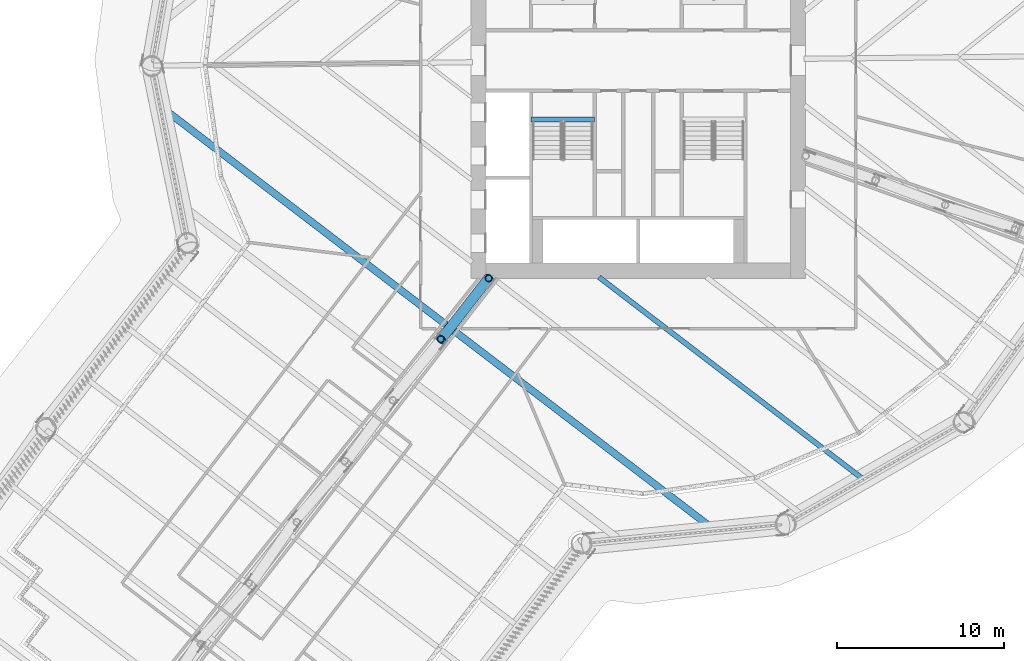
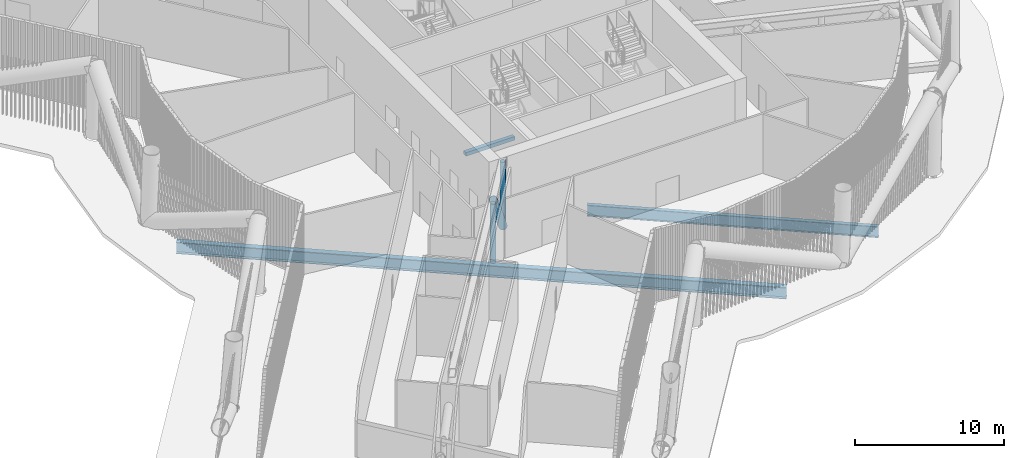
# One storey, part 5 of 48: 3 beams, 3 members.
"""IFC4 building model written with IfcOpenShell, lengths in metres."""

from ifc_helpers import new_model, si_unit, direction, frame, origin, origin_2d, place, context, subcontext, project, spatial, rectangle, hollow_circle, i_section, extrude, material, material_profile, profile_set, type_object, element, save


model = new_model("IFC4")

# Units and contexts
model_context = context("Model", 3, precision=1e-05, world=origin(), true_north=direction((0.0, 1.0)))
body_context = subcontext(model_context, "Body", "Model", "MODEL_VIEW")
ifc_project = project(units=[si_unit("LENGTHUNIT", "METRE"), si_unit("AREAUNIT", "SQUARE_METRE"), si_unit("VOLUMEUNIT", "CUBIC_METRE"), si_unit("PLANEANGLEUNIT", "RADIAN"), si_unit("MASSUNIT", "GRAM", prefix="KILO")], contexts=[model_context])

# Site, building, storey
site_placement = place(None, origin())
site = spatial("IfcSite", under=ifc_project, at=site_placement, CompositionType="ELEMENT")
building_placement = place(site_placement, origin())
building = spatial("IfcBuilding", under=site, at=building_placement, Name="Tarsis Ring Headquarters", CompositionType="ELEMENT")
storey_placement = place(building_placement, frame((0.0, 0.0, 34.0)))
storey = spatial("IfcBuildingStorey", under=building, at=storey_placement, Name="L06", CompositionType="ELEMENT", Elevation=34.0)

# Beams
ifc_material_1 = material(Name="Structural steel S355", Category="steel")
ifc_material_profile_1 = material_profile(ifc_material_1, i_section(OverallWidth=0.3046875, OverallDepth=0.904296875, WebThickness=0.01513671875, FlangeThickness=0.02001953125, at=origin_2d()), Name="W36x135")
ifc_profile_set_1 = profile_set([ifc_material_profile_1], Name="Structural steel S355")
beam_type_1 = type_object("IfcBeamType", Name="FB Floor beam W36x135", PredefinedType="JOIST", material=ifc_profile_set_1)
beam_1_placement = place(storey_placement, frame((-2.33935546875, -12.939208984375, -0.752197265625), z_axis=(0.79441115582, -0.607380371356, 0.0), x_axis=(0.607380371356, 0.79441115582, 0.0)))
element("IfcBeam", 1, at=beam_1_placement, inside=storey, type_object=beam_type_1, Name="Floor beam FB8", PredefinedType="JOIST", context=body_context, shape_type="SweptSolid", body=[
    extrude(i_section(OverallWidth=0.3046875, OverallDepth=0.904296875, WebThickness=0.01513671875, FlangeThickness=0.02001953125, at=origin_2d()), origin(), (0.0, 0.0, 1.0), 19.75244140625),
])
ifc_material_profile_2 = material_profile(ifc_material_1, i_section(OverallWidth=0.42431640625, OverallDepth=0.947509765625, WebThickness=0.02392578125, FlangeThickness=0.042724609375, at=origin_2d()), Name="W36x302")
ifc_profile_set_2 = profile_set([ifc_material_profile_2], Name="Structural steel S355")
beam_type_2 = type_object("IfcBeamType", Name="FB Floor beam W36x302", PredefinedType="JOIST", material=ifc_profile_set_2)
beam_2_placement = place(storey_placement, frame((-28.39208984375, -2.8388671875, -0.773681640625), z_axis=(0.794412124324, -0.607379104618, 0.0), x_axis=(0.607379104618, 0.794412124324, 0.0)))
element("IfcBeam", 2, at=beam_2_placement, inside=storey, type_object=beam_type_2, Name="Floor beam FB12", PredefinedType="JOIST", context=body_context, shape_type="SweptSolid", body=[
    extrude(i_section(OverallWidth=0.42431640625, OverallDepth=0.947509765625, WebThickness=0.02392578125, FlangeThickness=0.042724609375, at=origin_2d()), origin(), (0.0, 0.0, 1.0), 41.35302734375),
])

# Members
ifc_material_profile_3 = material_profile(ifc_material_1, hollow_circle(Radius=0.3046875, WallThickness=0.02490234375, at=origin_2d()), Name="CHS 610x25")
ifc_profile_set_3 = profile_set([ifc_material_profile_3], Name="Structural steel S355")
member_type_1 = type_object("IfcMemberType", Name="OD Outrigger diagonal CHS 610x25", PredefinedType="BRACE", material=ifc_profile_set_3)
member_1_placement = place(storey_placement, frame((-8.93017578125, -13.0, 0.25390625), z_axis=(-0.402287442232, -0.517819334638, 0.755001953969), x_axis=(0.789692748118, -0.613502537542, 0.0)))
element("IfcMember", 3, at=member_1_placement, inside=storey, type_object=member_type_1, Name="Outrigger diagonal OD1", PredefinedType="BRACE", context=body_context, shape_type="SweptSolid", body=[
    extrude(hollow_circle(Radius=0.3046875, WallThickness=0.02490234375, at=origin_2d()), origin(), (0.0, 0.0, 1.0), 7.062255859375),
])
ifc_material_profile_4 = material_profile(ifc_material_1, hollow_circle(Radius=0.203125, WallThickness=0.01611328125, at=origin_2d()), Name="CHS 406x16")
ifc_profile_set_4 = profile_set([ifc_material_profile_4], Name="Structural steel S355")
member_type_2 = type_object("IfcMemberType", Name="OV Outrigger post CHS 406x16", PredefinedType="STRUT", material=ifc_profile_set_4)
member_2_placement = place(storey_placement, frame((-8.93017578125, -13.0, 0.508056640625), z_axis=(0.0, 0.0, 1.0), x_axis=(1.0, 0.0, 0.0)))
element("IfcMember", 4, at=member_2_placement, inside=storey, type_object=member_type_2, Name="Outrigger post OV1", PredefinedType="STRUT", context=body_context, shape_type="SweptSolid", body=[
    extrude(hollow_circle(Radius=0.203125, WallThickness=0.01611328125, at=origin_2d()), origin(), (0.0, 0.0, 1.0), 5.077880859375),
])
member_3_placement = place(storey_placement, frame((-11.795654296875, -16.638427734375, 0.508056640625), z_axis=(0.0, 0.0, 1.0), x_axis=(1.0, 0.0, 0.0)))
element("IfcMember", 5, at=member_3_placement, inside=storey, type_object=member_type_2, Name="Outrigger post OV1", PredefinedType="STRUT", context=body_context, shape_type="SweptSolid", body=[
    extrude(hollow_circle(Radius=0.203125, WallThickness=0.01611328125, at=origin_2d()), origin(), (0.0, 0.0, 1.0), 4.823974609375),
])

# Beam
ifc_material_2 = material(Name="Concrete C40/50", Category="concrete")
ifc_material_profile_5 = material_profile(ifc_material_2, rectangle(XDim=0.300048828125, YDim=0.300048828125, at=origin_2d()), Name="Stair head beam 300x300 C40/50")
ifc_profile_set_5 = profile_set([ifc_material_profile_5], Name="Concrete C40/50")
beam_type_3 = type_object("IfcBeamType", Name="Stair head beam 300x300 C40/50", PredefinedType="BEAM", material=ifc_profile_set_5)
beam_3_placement = place(storey_placement, frame((-6.39990234375, -3.510009765625, -0.449951171875), z_axis=(1.0, 0.0, 0.0), x_axis=(0.0, 1.0, 0.0)))
element("IfcBeam", 6, at=beam_3_placement, inside=storey, type_object=beam_type_3, Name="Stair head beam L06 Exit stair C", PredefinedType="BEAM", context=body_context, shape_type="SweptSolid", body=[
    extrude(rectangle(XDim=0.300048828125, YDim=0.300048828125, at=origin_2d()), origin(), (0.0, 0.0, 1.0), 3.7998046875),
])

save(model, "model.ifc")
